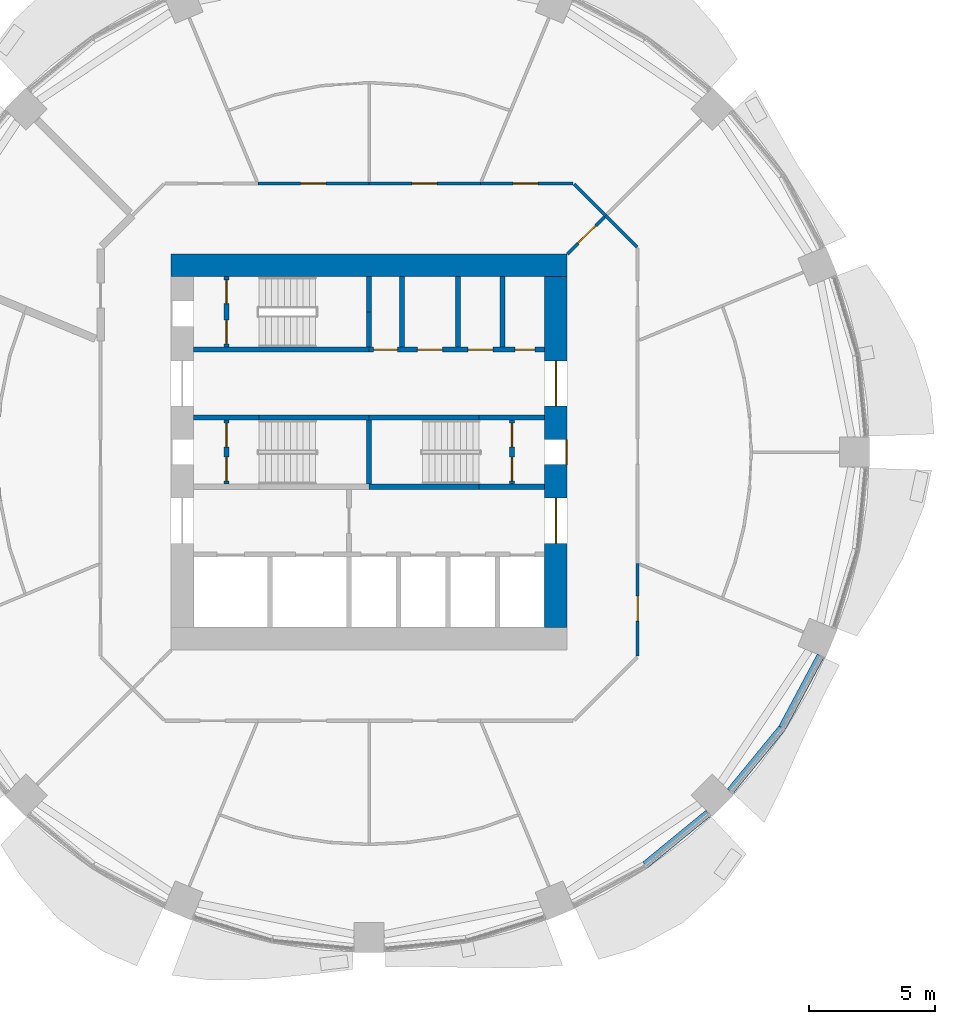
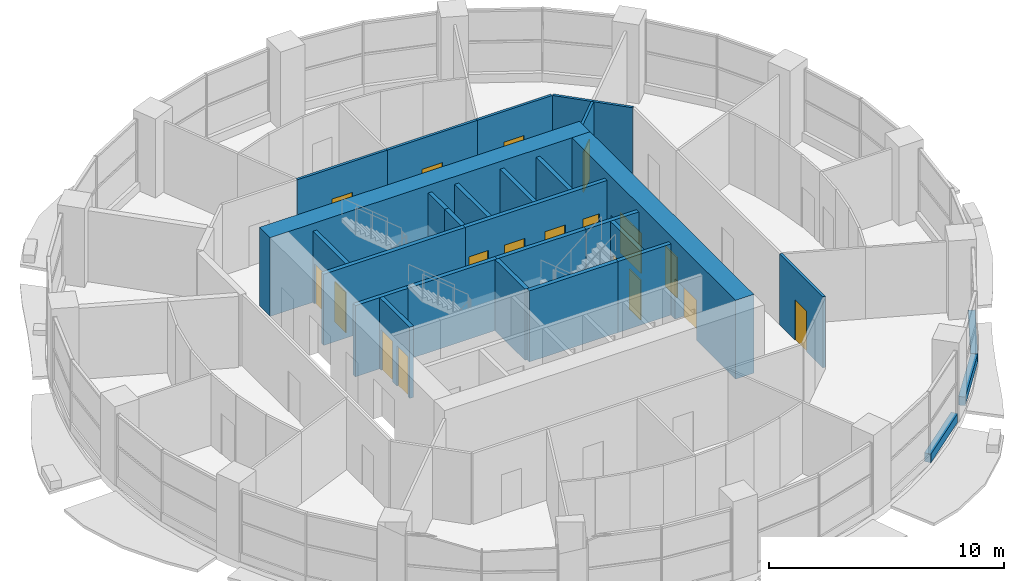
# One storey, part 9 of 14: 29 walls, 18 doors, 18 openings.
"""IFC4 building model written with IfcOpenShell, lengths in metres."""

from ifc_helpers import new_model, si_unit, direction, frame, frame_2d, origin, place, context, subcontext, project, spatial, rectangle, extrude, material, layer, layer_set, type_object, element, fill, save


model = new_model("IFC4")

# Units and contexts
model_context = context("Model", 3, precision=1e-05, world=origin(), true_north=direction((0.0, 1.0)))
body_context = subcontext(model_context, "Body", "Model", "MODEL_VIEW")
ifc_project = project(units=[si_unit("LENGTHUNIT", "METRE"), si_unit("AREAUNIT", "SQUARE_METRE"), si_unit("VOLUMEUNIT", "CUBIC_METRE"), si_unit("PLANEANGLEUNIT", "RADIAN"), si_unit("MASSUNIT", "GRAM", prefix="KILO")], contexts=[model_context])

# Site, building, storey
site_placement = place(None, origin())
site = spatial("IfcSite", under=ifc_project, at=site_placement, CompositionType="ELEMENT")
building_placement = place(site_placement, origin())
building = spatial("IfcBuilding", under=site, at=building_placement, Name="Polderwave Tower", CompositionType="ELEMENT")
storey_placement = place(building_placement, frame((0.0, 0.0, 14.39990234375)))
storey = spatial("IfcBuildingStorey", under=building, at=storey_placement, Name="L03", CompositionType="ELEMENT", Elevation=14.39990234375)

# Wall
ifc_material_1 = material(Name="Concrete C80/95", Category="concrete")
ifc_layer_1 = layer(ifc_material_1, 0.89990234375)
ifc_layer_set_1 = layer_set([ifc_layer_1], Name="CORE WALL 900 C80/95")
wall_type_1 = type_object("IfcWallType", Name="CORE WALL 900 C80/95", PredefinedType="SHEAR", material=ifc_layer_set_1)
wall_1_placement = place(storey_placement, frame((-7.8740234375, 7.424072265625, 0.0), z_axis=(0.0, 0.0, 1.0), x_axis=(1.0, 0.0, 0.0)))
element("IfcWall", 1, at=wall_1_placement, inside=storey, type_object=wall_type_1, Name="ST-CORE-L03-N", PredefinedType="SHEAR", context=body_context, shape_type="SweptSolid", body=[
    extrude(rectangle(XDim=15.748046875, YDim=0.89990234375, at=frame_2d((7.8740234375, 0.0))), origin(), (0.0, 0.0, 1.0), 4.10009765625),
])

# Wall, openings, doors
wall_2_placement = place(storey_placement, frame((7.424072265625, -6.97412109375, 0.0), z_axis=(0.0, 0.0, 1.0), x_axis=(0.0, 1.0, 0.0)))
wall_2 = element("IfcWall", 2, at=wall_2_placement, inside=storey, type_object=wall_type_1, Name="ST-CORE-L03-E", PredefinedType="SHEAR", context=body_context, shape_type="SweptSolid", body=[
    extrude(rectangle(XDim=13.9482421875, YDim=0.89990234375, at=frame_2d((6.97412109375, 0.0))), origin(), (0.0, 0.0, 1.0), 4.10009765625),
])
opening_1_placement = place(wall_2_placement, frame((6.47412109375, 0.0, 0.0)))
opening_1 = element("IfcOpeningElement", 3, at=opening_1_placement, cuts=wall_2, Name="Opening L03-D22", PredefinedType="OPENING", context=body_context, shape_type="SweptSolid", body=[
    extrude(rectangle(XDim=1.0, YDim=2.10009765625, at=frame_2d((0.5, 1.050048828125))), frame((0.0, 0.4599609375, 0.0), z_axis=(0.0, -1.0, 0.0), x_axis=(1.0, 0.0, 0.0)), (0.0, 0.0, 1.0), 0.919921875),
])
opening_2_placement = place(wall_2_placement, frame((3.349609375, 0.0, 0.0)))
opening_2 = element("IfcOpeningElement", 4, at=opening_2_placement, cuts=wall_2, Name="Opening L03-D23", PredefinedType="OPENING", context=body_context, shape_type="SweptSolid", body=[
    extrude(rectangle(XDim=1.800048828125, YDim=2.10009765625, at=frame_2d((0.89990234375, 1.050048828125))), frame((0.0, 0.4599609375, 0.0), z_axis=(0.0, -1.0, 0.0), x_axis=(1.0, 0.0, 0.0)), (0.0, 0.0, 1.0), 0.919921875),
])
opening_3_placement = place(wall_2_placement, frame((8.798583984375, 0.0, 0.0)))
opening_3 = element("IfcOpeningElement", 5, at=opening_3_placement, cuts=wall_2, Name="Opening L03-D24", PredefinedType="OPENING", context=body_context, shape_type="SweptSolid", body=[
    extrude(rectangle(XDim=1.800048828125, YDim=2.10009765625, at=frame_2d((0.89990234375, 1.050048828125))), frame((0.0, 0.4599609375, 0.0), z_axis=(0.0, -1.0, 0.0), x_axis=(1.0, 0.0, 0.0)), (0.0, 0.0, 1.0), 0.919921875),
])
ifc_material_2 = material(Name="Steel fire door", Category="steel")
door_type_1 = type_object("IfcDoorType", Name="Lobby entry door pair 1800", OperationType="DOUBLE_DOOR_SINGLE_SWING", PredefinedType="DOOR", material=ifc_material_2)
door_1_placement = place(opening_2_placement, frame((1.800048828125, 0.0, 0.0), z_axis=(0.0, 0.0, 1.0), x_axis=(-1.0, 0.0, 0.0)))
door_1 = element("IfcDoor", 6, at=door_1_placement, inside=storey, type_object=door_type_1, Name="South lobby entry door", OperationType="DOUBLE_DOOR_SINGLE_SWING", OverallHeight=2.10009765625, OverallWidth=1.800048828125, PredefinedType="DOOR", context=body_context, shape_type="SweptSolid", body=[
    extrude(rectangle(XDim=1.800048828125, YDim=2.10009765625, at=frame_2d((0.89990234375, 1.050048828125))), frame((0.0, 0.02490234375, 0.0), z_axis=(0.0, -1.0, 0.0), x_axis=(1.0, 0.0, 0.0)), (0.0, 0.0, 1.0), 0.050048828125),
])
fill(opening_2, door_1)
door_2_placement = place(opening_3_placement, frame((1.800048828125, 0.0, 0.0), z_axis=(0.0, 0.0, 1.0), x_axis=(-1.0, 0.0, 0.0)))
door_2 = element("IfcDoor", 7, at=door_2_placement, inside=storey, type_object=door_type_1, Name="North lobby entry door", OperationType="DOUBLE_DOOR_SINGLE_SWING", OverallHeight=2.10009765625, OverallWidth=1.800048828125, PredefinedType="DOOR", context=body_context, shape_type="SweptSolid", body=[
    extrude(rectangle(XDim=1.800048828125, YDim=2.10009765625, at=frame_2d((0.89990234375, 1.050048828125))), frame((0.0, 0.02490234375, 0.0), z_axis=(0.0, -1.0, 0.0), x_axis=(1.0, 0.0, 0.0)), (0.0, 0.0, 1.0), 0.050048828125),
])
fill(opening_3, door_2)
door_type_2 = type_object("IfcDoorType", Name="Stair door 1000", OperationType="NOTDEFINED", PredefinedType="DOOR", material=ifc_material_2)
door_3_placement = place(opening_1_placement, frame((1.0, 0.0, 0.0), z_axis=(0.0, 0.0, 1.0), x_axis=(-1.0, 0.0, 0.0)))
door_3 = element("IfcDoor", 8, at=door_3_placement, inside=storey, type_object=door_type_2, Name="Stair B entry door", OperationType="SINGLE_SWING_LEFT", OverallHeight=2.10009765625, OverallWidth=1.0, PredefinedType="DOOR", context=body_context, shape_type="SweptSolid", body=[
    extrude(rectangle(XDim=1.0, YDim=2.10009765625, at=frame_2d((0.5, 1.050048828125))), frame((0.0, 0.4501953125, 0.0), z_axis=(0.0, -1.0, 0.0), x_axis=(1.0, 0.0, 0.0)), (0.0, 0.0, 1.0), 0.050048828125),
])
fill(opening_1, door_3)

# Walls
ifc_material_3 = material(Name="Concrete C50/60 (board-marked)", Category="concrete")
ifc_layer_2 = layer(ifc_material_3, 0.300048828125)
ifc_layer_set_2 = layer_set([ifc_layer_2], Name="Concrete spandrel upstand C50/60")
wall_type_2 = type_object("IfcWallType", Name="Concrete spandrel upstand C50/60", PredefinedType="SOLIDWALL", material=ifc_layer_set_2)
for number, where, z_axis, x_axis, name in (
    (9, (10.978515625, -16.403564453125, 0.0), (0.0, 0.0, 1.0), (0.773153933451, 0.634218412843, 0.0), "Spandrel L03 14b"),
    (10, (14.349609375, -13.482421875, 0.0), (0.0, 0.0, 1.0), (0.634218412843, 0.773153933451, 0.0), "Spandrel L03 15a"),
    (11, (16.420166015625, -10.953857421875, 0.0), (0.0, 0.0, 1.0), (0.471085080078, 0.882087777564, 0.0), "Spandrel L03 15b"),
):
    element("IfcWall", number, at=place(storey_placement, frame(where, z_axis=z_axis, x_axis=x_axis)), inside=storey, type_object=wall_type_2, Name=name, PredefinedType="SOLIDWALL", context=body_context, shape_type="SweptSolid", body=[
        extrude(rectangle(XDim=3.238525390625, YDim=0.300048828125, at=frame_2d((1.619140625, 0.0))), origin(), (0.0, 0.0, 1.0), 0.4501953125),
    ])
ifc_material_4 = material(Name="Gypsum board partition")
ifc_layer_3 = layer(ifc_material_4, 0.199951171875)
ifc_layer_set_3 = layer_set([ifc_layer_3], Name="Core room partition 200")
wall_type_3 = type_object("IfcWallType", Name="Core room partition 200", PredefinedType="PARTITIONING", material=ifc_layer_set_3)
for number, where, z_axis, x_axis, name in (
    (12, (1.30712890625, 4.174072265625, 0.0), (0.0, 0.0, 1.0), (0.0, 1.0, 0.0), "L03 room partition N1"),
    (13, (3.537109375, 4.174072265625, 0.0), (0.0, 0.0, 1.0), (0.0, 1.0, 0.0), "L03 room partition N2"),
):
    element("IfcWall", number, at=place(storey_placement, frame(where, z_axis=z_axis, x_axis=x_axis)), inside=storey, type_object=wall_type_3, Name=name, PredefinedType="PARTITIONING", context=body_context, shape_type="SweptSolid", body=[
        extrude(rectangle(XDim=2.800048828125, YDim=0.199951171875, at=frame_2d((1.39990234375, 0.0))), origin(), (0.0, 0.0, 1.0), 3.7001953125),
    ])

# Wall, openings, doors
wall_3_placement = place(storey_placement, frame((-5.674072265625, -1.27490234375, 0.0), z_axis=(0.0, 0.0, 1.0), x_axis=(0.0, 1.0, 0.0)))
wall_3 = element("IfcWall", 14, at=wall_3_placement, inside=storey, type_object=wall_type_3, Name="L03 smoke lobby wall A", PredefinedType="PARTITIONING", context=body_context, shape_type="SweptSolid", body=[
    extrude(rectangle(XDim=2.5498046875, YDim=0.199951171875, at=frame_2d((1.27490234375, 0.0))), origin(), (0.0, 0.0, 1.0), 3.7001953125),
])
opening_4_placement = place(wall_3_placement, frame((0.125, 0.0, 0.0)))
opening_4 = element("IfcOpeningElement", 15, at=opening_4_placement, cuts=wall_3, Name="Opening L03-D07", PredefinedType="OPENING", context=body_context, shape_type="SweptSolid", body=[
    extrude(rectangle(XDim=0.949951171875, YDim=2.10009765625, at=frame_2d((0.47509765625, 1.050048828125))), frame((0.0, 0.10986328125, 0.0), z_axis=(0.0, -1.0, 0.0), x_axis=(1.0, 0.0, 0.0)), (0.0, 0.0, 1.0), 0.219970703125),
])
opening_5_placement = place(wall_3_placement, frame((1.47509765625, 0.0, 0.0)))
opening_5 = element("IfcOpeningElement", 16, at=opening_5_placement, cuts=wall_3, Name="Opening L03-D08", PredefinedType="OPENING", context=body_context, shape_type="SweptSolid", body=[
    extrude(rectangle(XDim=0.949951171875, YDim=2.10009765625, at=frame_2d((0.47509765625, 1.050048828125))), frame((0.0, 0.10986328125, 0.0), z_axis=(0.0, -1.0, 0.0), x_axis=(1.0, 0.0, 0.0)), (0.0, 0.0, 1.0), 0.219970703125),
])
door_type_3 = type_object("IfcDoorType", Name="Smoke lobby door 950", OperationType="NOTDEFINED", PredefinedType="DOOR", material=ifc_material_2)
door_4_placement = place(opening_4_placement, origin())
door_4 = element("IfcDoor", 17, at=door_4_placement, inside=storey, type_object=door_type_3, Name="Stair A smoke lobby inner door", OperationType="SINGLE_SWING_LEFT", OverallHeight=2.10009765625, OverallWidth=0.949951171875, PredefinedType="DOOR", context=body_context, shape_type="SweptSolid", body=[
    extrude(rectangle(XDim=0.949951171875, YDim=2.10009765625, at=frame_2d((0.47509765625, 1.050048828125))), frame((0.0, 0.02490234375, 0.0), z_axis=(0.0, -1.0, 0.0), x_axis=(1.0, 0.0, 0.0)), (0.0, 0.0, 1.0), 0.050048828125),
])
fill(opening_4, door_4)
door_5_placement = place(opening_5_placement, origin())
door_5 = element("IfcDoor", 18, at=door_5_placement, inside=storey, type_object=door_type_3, Name="Stair A smoke lobby inner door", OperationType="SINGLE_SWING_RIGHT", OverallHeight=2.10009765625, OverallWidth=0.949951171875, PredefinedType="DOOR", context=body_context, shape_type="SweptSolid", body=[
    extrude(rectangle(XDim=0.949951171875, YDim=2.10009765625, at=frame_2d((0.47509765625, 1.050048828125))), frame((0.0, 0.02490234375, 0.0), z_axis=(0.0, -1.0, 0.0), x_axis=(1.0, 0.0, 0.0)), (0.0, 0.0, 1.0), 0.050048828125),
])
fill(opening_5, door_5)

wall_4_placement = place(storey_placement, frame((5.674072265625, -1.27490234375, 0.0), z_axis=(0.0, 0.0, 1.0), x_axis=(0.0, 1.0, 0.0)))
wall_4 = element("IfcWall", 19, at=wall_4_placement, inside=storey, type_object=wall_type_3, Name="L03 smoke lobby wall B", PredefinedType="PARTITIONING", context=body_context, shape_type="SweptSolid", body=[
    extrude(rectangle(XDim=2.5498046875, YDim=0.199951171875, at=frame_2d((1.27490234375, 0.0))), origin(), (0.0, 0.0, 1.0), 3.7001953125),
])
opening_6_placement = place(wall_4_placement, frame((0.125, 0.0, 0.0)))
opening_6 = element("IfcOpeningElement", 20, at=opening_6_placement, cuts=wall_4, Name="Opening L03-D09", PredefinedType="OPENING", context=body_context, shape_type="SweptSolid", body=[
    extrude(rectangle(XDim=0.949951171875, YDim=2.10009765625, at=frame_2d((0.47509765625, 1.050048828125))), frame((0.0, 0.10986328125, 0.0), z_axis=(0.0, -1.0, 0.0), x_axis=(1.0, 0.0, 0.0)), (0.0, 0.0, 1.0), 0.219970703125),
])
opening_7_placement = place(wall_4_placement, frame((1.47509765625, 0.0, 0.0)))
opening_7 = element("IfcOpeningElement", 21, at=opening_7_placement, cuts=wall_4, Name="Opening L03-D10", PredefinedType="OPENING", context=body_context, shape_type="SweptSolid", body=[
    extrude(rectangle(XDim=0.949951171875, YDim=2.10009765625, at=frame_2d((0.47509765625, 1.050048828125))), frame((0.0, 0.10986328125, 0.0), z_axis=(0.0, -1.0, 0.0), x_axis=(1.0, 0.0, 0.0)), (0.0, 0.0, 1.0), 0.219970703125),
])
door_6_placement = place(opening_6_placement, frame((0.949951171875, 0.0, 0.0), z_axis=(0.0, 0.0, 1.0), x_axis=(-1.0, 0.0, 0.0)))
door_6 = element("IfcDoor", 22, at=door_6_placement, inside=storey, type_object=door_type_3, Name="Stair B smoke lobby inner door", OperationType="SINGLE_SWING_RIGHT", OverallHeight=2.10009765625, OverallWidth=0.949951171875, PredefinedType="DOOR", context=body_context, shape_type="SweptSolid", body=[
    extrude(rectangle(XDim=0.949951171875, YDim=2.10009765625, at=frame_2d((0.47509765625, 1.050048828125))), frame((0.0, 0.02490234375, 0.0), z_axis=(0.0, -1.0, 0.0), x_axis=(1.0, 0.0, 0.0)), (0.0, 0.0, 1.0), 0.050048828125),
])
fill(opening_6, door_6)
door_7_placement = place(opening_7_placement, frame((0.949951171875, 0.0, 0.0), z_axis=(0.0, 0.0, 1.0), x_axis=(-1.0, 0.0, 0.0)))
door_7 = element("IfcDoor", 23, at=door_7_placement, inside=storey, type_object=door_type_3, Name="Stair B smoke lobby inner door", OperationType="SINGLE_SWING_LEFT", OverallHeight=2.10009765625, OverallWidth=0.949951171875, PredefinedType="DOOR", context=body_context, shape_type="SweptSolid", body=[
    extrude(rectangle(XDim=0.949951171875, YDim=2.10009765625, at=frame_2d((0.47509765625, 1.050048828125))), frame((0.0, 0.02490234375, 0.0), z_axis=(0.0, -1.0, 0.0), x_axis=(1.0, 0.0, 0.0)), (0.0, 0.0, 1.0), 0.050048828125),
])
fill(opening_7, door_7)

wall_5_placement = place(storey_placement, frame((-5.674072265625, 4.174072265625, 0.0), z_axis=(0.0, 0.0, 1.0), x_axis=(0.0, 1.0, 0.0)))
wall_5 = element("IfcWall", 24, at=wall_5_placement, inside=storey, type_object=wall_type_3, Name="L03 smoke lobby wall C", PredefinedType="PARTITIONING", context=body_context, shape_type="SweptSolid", body=[
    extrude(rectangle(XDim=2.800048828125, YDim=0.199951171875, at=frame_2d((1.39990234375, 0.0))), origin(), (0.0, 0.0, 1.0), 3.7001953125),
])
opening_8_placement = place(wall_5_placement, frame((0.125, 0.0, 0.0)))
opening_8 = element("IfcOpeningElement", 25, at=opening_8_placement, cuts=wall_5, Name="Opening L03-D11", PredefinedType="OPENING", context=body_context, shape_type="SweptSolid", body=[
    extrude(rectangle(XDim=0.949951171875, YDim=2.10009765625, at=frame_2d((0.47509765625, 1.050048828125))), frame((0.0, 0.10986328125, 0.0), z_axis=(0.0, -1.0, 0.0), x_axis=(1.0, 0.0, 0.0)), (0.0, 0.0, 1.0), 0.219970703125),
])
opening_9_placement = place(wall_5_placement, frame((1.72509765625, 0.0, 0.0)))
opening_9 = element("IfcOpeningElement", 26, at=opening_9_placement, cuts=wall_5, Name="Opening L03-D12", PredefinedType="OPENING", context=body_context, shape_type="SweptSolid", body=[
    extrude(rectangle(XDim=0.949951171875, YDim=2.10009765625, at=frame_2d((0.47509765625, 1.050048828125))), frame((0.0, 0.10986328125, 0.0), z_axis=(0.0, -1.0, 0.0), x_axis=(1.0, 0.0, 0.0)), (0.0, 0.0, 1.0), 0.219970703125),
])
door_8_placement = place(opening_8_placement, origin())
door_8 = element("IfcDoor", 27, at=door_8_placement, inside=storey, type_object=door_type_3, Name="Stair C smoke lobby inner door", OperationType="SINGLE_SWING_LEFT", OverallHeight=2.10009765625, OverallWidth=0.949951171875, PredefinedType="DOOR", context=body_context, shape_type="SweptSolid", body=[
    extrude(rectangle(XDim=0.949951171875, YDim=2.10009765625, at=frame_2d((0.47509765625, 1.050048828125))), frame((0.0, 0.02490234375, 0.0), z_axis=(0.0, -1.0, 0.0), x_axis=(1.0, 0.0, 0.0)), (0.0, 0.0, 1.0), 0.050048828125),
])
fill(opening_8, door_8)
door_9_placement = place(opening_9_placement, origin())
door_9 = element("IfcDoor", 28, at=door_9_placement, inside=storey, type_object=door_type_3, Name="Stair C smoke lobby inner door", OperationType="SINGLE_SWING_RIGHT", OverallHeight=2.10009765625, OverallWidth=0.949951171875, PredefinedType="DOOR", context=body_context, shape_type="SweptSolid", body=[
    extrude(rectangle(XDim=0.949951171875, YDim=2.10009765625, at=frame_2d((0.47509765625, 1.050048828125))), frame((0.0, 0.02490234375, 0.0), z_axis=(0.0, -1.0, 0.0), x_axis=(1.0, 0.0, 0.0)), (0.0, 0.0, 1.0), 0.050048828125),
])
fill(opening_9, door_9)

# Wall
ifc_material_5 = material(Name="Concrete C50/60", Category="concrete")
ifc_layer_4 = layer(ifc_material_5, 0.199951171875)
ifc_layer_set_4 = layer_set([ifc_layer_4], Name="Core web wall 200")
wall_type_4 = type_object("IfcWallType", Name="Core web wall 200", PredefinedType="SHEAR", material=ifc_layer_set_4)
wall_6_placement = place(storey_placement, frame((-6.97412109375, 4.073974609375, 0.0), z_axis=(0.0, 0.0, 1.0), x_axis=(1.0, 0.0, 0.0)))
element("IfcWall", 29, at=wall_6_placement, inside=storey, type_object=wall_type_4, Name="L03 north front wall 1", PredefinedType="SHEAR", context=body_context, shape_type="SweptSolid", body=[
    extrude(rectangle(XDim=6.97412109375, YDim=0.199951171875, at=frame_2d((3.487060546875, 0.0))), origin(), (0.0, 0.0, 1.0), 3.7001953125),
])

# Wall, openings, doors
wall_7_placement = place(storey_placement, frame((0.0, 4.073974609375, 0.0), z_axis=(0.0, 0.0, 1.0), x_axis=(1.0, 0.0, 0.0)))
wall_7 = element("IfcWall", 30, at=wall_7_placement, inside=storey, type_object=wall_type_4, Name="L03 north front wall 2", PredefinedType="SHEAR", context=body_context, shape_type="SweptSolid", body=[
    extrude(rectangle(XDim=6.97412109375, YDim=0.199951171875, at=frame_2d((3.487060546875, 0.0))), origin(), (0.0, 0.0, 1.0), 3.7001953125),
])
opening_10_placement = place(wall_7_placement, frame((0.1787109375, 0.0, 0.0)))
opening_10 = element("IfcOpeningElement", 31, at=opening_10_placement, cuts=wall_7, Name="Opening L03-D14", PredefinedType="OPENING", context=body_context, shape_type="SweptSolid", body=[
    extrude(rectangle(XDim=0.949951171875, YDim=2.10009765625, at=frame_2d((0.47509765625, 1.050048828125))), frame((0.0, 0.10986328125, 0.0), z_axis=(0.0, -1.0, 0.0), x_axis=(1.0, 0.0, 0.0)), (0.0, 0.0, 1.0), 0.219970703125),
])
opening_11_placement = place(wall_7_placement, frame((1.922119140625, 0.0, 0.0)))
opening_11 = element("IfcOpeningElement", 32, at=opening_11_placement, cuts=wall_7, Name="Opening L03-D15", PredefinedType="OPENING", context=body_context, shape_type="SweptSolid", body=[
    extrude(rectangle(XDim=1.0, YDim=2.10009765625, at=frame_2d((0.5, 1.050048828125))), frame((0.0, 0.10986328125, 0.0), z_axis=(0.0, -1.0, 0.0), x_axis=(1.0, 0.0, 0.0)), (0.0, 0.0, 1.0), 0.219970703125),
])
opening_12_placement = place(wall_7_placement, frame((3.921142578125, 0.0, 0.0)))
opening_12 = element("IfcOpeningElement", 33, at=opening_12_placement, cuts=wall_7, Name="Opening L03-D16", PredefinedType="OPENING", context=body_context, shape_type="SweptSolid", body=[
    extrude(rectangle(XDim=1.0, YDim=2.10009765625, at=frame_2d((0.5, 1.050048828125))), frame((0.0, 0.10986328125, 0.0), z_axis=(0.0, -1.0, 0.0), x_axis=(1.0, 0.0, 0.0)), (0.0, 0.0, 1.0), 0.219970703125),
])
opening_13_placement = place(wall_7_placement, frame((5.789794921875, 0.0, 0.0)))
opening_13 = element("IfcOpeningElement", 34, at=opening_13_placement, cuts=wall_7, Name="Opening L03-D17", PredefinedType="OPENING", context=body_context, shape_type="SweptSolid", body=[
    extrude(rectangle(XDim=0.800048828125, YDim=2.10009765625, at=frame_2d((0.39990234375, 1.050048828125))), frame((0.0, 0.10986328125, 0.0), z_axis=(0.0, -1.0, 0.0), x_axis=(1.0, 0.0, 0.0)), (0.0, 0.0, 1.0), 0.219970703125),
])
door_type_4 = type_object("IfcDoorType", Name="Riser door 800", OperationType="NOTDEFINED", PredefinedType="DOOR", material=ifc_material_2)
door_10_placement = place(opening_13_placement, frame((0.800048828125, 0.0, 0.0), z_axis=(0.0, 0.0, 1.0), x_axis=(-1.0, 0.0, 0.0)))
door_10 = element("IfcDoor", 35, at=door_10_placement, inside=storey, type_object=door_type_4, Name="Riser door", OperationType="SINGLE_SWING_LEFT", OverallHeight=2.10009765625, OverallWidth=0.800048828125, PredefinedType="DOOR", context=body_context, shape_type="SweptSolid", body=[
    extrude(rectangle(XDim=0.800048828125, YDim=2.10009765625, at=frame_2d((0.39990234375, 1.050048828125))), frame((0.0, 0.02490234375, 0.0), z_axis=(0.0, -1.0, 0.0), x_axis=(1.0, 0.0, 0.0)), (0.0, 0.0, 1.0), 0.050048828125),
])
fill(opening_13, door_10)
ifc_material_6 = material(Name="Timber door leaf", Category="wood")
door_type_5 = type_object("IfcDoorType", Name="Room door 1000", OperationType="NOTDEFINED", PredefinedType="DOOR", material=ifc_material_6)
door_11_placement = place(opening_11_placement, origin())
door_11 = element("IfcDoor", 36, at=door_11_placement, inside=storey, type_object=door_type_5, Name="Store door", OperationType="SINGLE_SWING_LEFT", OverallHeight=2.10009765625, OverallWidth=1.0, PredefinedType="DOOR", context=body_context, shape_type="SweptSolid", body=[
    extrude(rectangle(XDim=1.0, YDim=2.10009765625, at=frame_2d((0.5, 1.050048828125))), frame((0.0, 0.02490234375, 0.0), z_axis=(0.0, -1.0, 0.0), x_axis=(1.0, 0.0, 0.0)), (0.0, 0.0, 1.0), 0.050048828125),
])
fill(opening_11, door_11)
door_12_placement = place(opening_12_placement, origin())
door_12 = element("IfcDoor", 37, at=door_12_placement, inside=storey, type_object=door_type_5, Name="Staff WC door", OperationType="SINGLE_SWING_RIGHT", OverallHeight=2.10009765625, OverallWidth=1.0, PredefinedType="DOOR", context=body_context, shape_type="SweptSolid", body=[
    extrude(rectangle(XDim=1.0, YDim=2.10009765625, at=frame_2d((0.5, 1.050048828125))), frame((0.0, 0.02490234375, 0.0), z_axis=(0.0, -1.0, 0.0), x_axis=(1.0, 0.0, 0.0)), (0.0, 0.0, 1.0), 0.050048828125),
])
fill(opening_12, door_12)
door_type_6 = type_object("IfcDoorType", Name="Room door 950", OperationType="NOTDEFINED", PredefinedType="DOOR", material=ifc_material_6)
door_13_placement = place(opening_10_placement, origin())
door_13 = element("IfcDoor", 38, at=door_13_placement, inside=storey, type_object=door_type_6, Name="Housekeeping store door", OperationType="SINGLE_SWING_LEFT", OverallHeight=2.10009765625, OverallWidth=0.949951171875, PredefinedType="DOOR", context=body_context, shape_type="SweptSolid", body=[
    extrude(rectangle(XDim=0.949951171875, YDim=2.10009765625, at=frame_2d((0.47509765625, 1.050048828125))), frame((0.0, 0.02490234375, 0.0), z_axis=(0.0, -1.0, 0.0), x_axis=(1.0, 0.0, 0.0)), (0.0, 0.0, 1.0), 0.050048828125),
])
fill(opening_10, door_13)

# Walls
wall_8_placement = place(storey_placement, frame((0.0, -1.375, 0.0), z_axis=(0.0, 0.0, 1.0), x_axis=(1.0, 0.0, 0.0)))
element("IfcWall", 39, at=wall_8_placement, inside=storey, type_object=wall_type_4, Name="L03 south stair wall 3", PredefinedType="SHEAR", context=body_context, shape_type="SweptSolid", body=[
    extrude(rectangle(XDim=4.3740234375, YDim=0.199951171875, at=frame_2d((2.18701171875, 0.0))), origin(), (0.0, 0.0, 1.0), 3.7001953125),
])
for number, where, z_axis, x_axis, name in (
    (40, (4.3740234375, -1.375, 0.0), (0.0, 0.0, 1.0), (1.0, 0.0, 0.0), "L03 south stair wall 4"),
    (41, (-6.97412109375, 1.375, 0.0), (0.0, 0.0, 1.0), (1.0, 0.0, 0.0), "L03 north stair wall 1"),
):
    element("IfcWall", number, at=place(storey_placement, frame(where, z_axis=z_axis, x_axis=x_axis)), inside=storey, type_object=wall_type_4, Name=name, PredefinedType="SHEAR", context=body_context, shape_type="SweptSolid", body=[
        extrude(rectangle(XDim=2.60009765625, YDim=0.199951171875, at=frame_2d((1.300048828125, 0.0))), origin(), (0.0, 0.0, 1.0), 3.7001953125),
    ])
for number, where, z_axis, x_axis, name in (
    (42, (-4.3740234375, 1.375, 0.0), (0.0, 0.0, 1.0), (1.0, 0.0, 0.0), "L03 north stair wall 2"),
    (43, (0.0, 1.375, 0.0), (0.0, 0.0, 1.0), (1.0, 0.0, 0.0), "L03 north stair wall 3"),
):
    element("IfcWall", number, at=place(storey_placement, frame(where, z_axis=z_axis, x_axis=x_axis)), inside=storey, type_object=wall_type_4, Name=name, PredefinedType="SHEAR", context=body_context, shape_type="SweptSolid", body=[
        extrude(rectangle(XDim=4.3740234375, YDim=0.199951171875, at=frame_2d((2.18701171875, 0.0))), origin(), (0.0, 0.0, 1.0), 3.7001953125),
    ])
wall_9_placement = place(storey_placement, frame((4.3740234375, 1.375, 0.0), z_axis=(0.0, 0.0, 1.0), x_axis=(1.0, 0.0, 0.0)))
element("IfcWall", 44, at=wall_9_placement, inside=storey, type_object=wall_type_4, Name="L03 north stair wall 4", PredefinedType="SHEAR", context=body_context, shape_type="SweptSolid", body=[
    extrude(rectangle(XDim=2.60009765625, YDim=0.199951171875, at=frame_2d((1.300048828125, 0.0))), origin(), (0.0, 0.0, 1.0), 3.7001953125),
])
wall_10_placement = place(storey_placement, frame((0.0, -1.27490234375, 0.0), z_axis=(0.0, 0.0, 1.0), x_axis=(0.0, 1.0, 0.0)))
element("IfcWall", 45, at=wall_10_placement, inside=storey, type_object=wall_type_4, Name="L03 wall between the stairs", PredefinedType="SHEAR", context=body_context, shape_type="SweptSolid", body=[
    extrude(rectangle(XDim=2.5498046875, YDim=0.199951171875, at=frame_2d((1.27490234375, 0.0))), origin(), (0.0, 0.0, 1.0), 3.7001953125),
])
wall_11_placement = place(storey_placement, frame((0.0, 4.174072265625, 0.0), z_axis=(0.0, 0.0, 1.0), x_axis=(0.0, 1.0, 0.0)))
element("IfcWall", 46, at=wall_11_placement, inside=storey, type_object=wall_type_4, Name="L03 stair C wall south", PredefinedType="SHEAR", context=body_context, shape_type="SweptSolid", body=[
    extrude(rectangle(XDim=1.39990234375, YDim=0.199951171875, at=frame_2d((0.699951171875, 0.0))), origin(), (0.0, 0.0, 1.0), 3.7001953125),
])
wall_12_placement = place(storey_placement, frame((0.0, 5.573974609375, 0.0), z_axis=(0.0, 0.0, 1.0), x_axis=(0.0, 1.0, 0.0)))
element("IfcWall", 47, at=wall_12_placement, inside=storey, type_object=wall_type_4, Name="L03 stair C wall north", PredefinedType="SHEAR", context=body_context, shape_type="SweptSolid", body=[
    extrude(rectangle(XDim=1.400146484375, YDim=0.199951171875, at=frame_2d((0.7001953125, 0.0))), origin(), (0.0, 0.0, 1.0), 3.7001953125),
])

# Wall, opening, door
ifc_material_7 = material(Name="Fire-resisting board on steel studs", Category="steel")
ifc_layer_5 = layer(ifc_material_7, 0.125)
ifc_layer_set_5 = layer_set([ifc_layer_5], Name="Corridor wall 125 mm EI 60")
wall_type_5 = type_object("IfcWallType", Name="Corridor wall 125 mm EI 60", PredefinedType="PARTITIONING", material=ifc_layer_set_5)
wall_13_placement = place(storey_placement, frame((7.8740234375, 7.8740234375, 0.0), z_axis=(0.0, 0.0, 1.0), x_axis=(0.707106781187, 0.707106781187, 0.0)))
wall_13 = element("IfcWall", 48, at=wall_13_placement, inside=storey, type_object=wall_type_5, Name="IN-L03-W001", PredefinedType="PARTITIONING", context=body_context, shape_type="SweptSolid", body=[
    extrude(rectangle(XDim=2.10205078125, YDim=0.125, at=frame_2d((1.051025390625, 0.0))), origin(), (0.0, 0.0, 1.0), 3.7001953125),
])
opening_14_placement = place(wall_13_placement, frame((0.60009765625, 0.0, 0.0)))
opening_14 = element("IfcOpeningElement", 49, at=opening_14_placement, cuts=wall_13, Name="Opening L03-D50", PredefinedType="OPENING", context=body_context, shape_type="SweptSolid", body=[
    extrude(rectangle(XDim=1.0, YDim=2.10009765625, at=frame_2d((0.5, 1.050048828125))), frame((0.0, 0.072509765625, 0.0), z_axis=(0.0, -1.0, 0.0), x_axis=(1.0, 0.0, 0.0)), (0.0, 0.0, 1.0), 0.14501953125),
])
ifc_material_8 = material(Name="Timber fire door leaf", Category="wood")
door_type_7 = type_object("IfcDoorType", Name="Fire door FD30S 1000 x 2100", OperationType="NOTDEFINED", PredefinedType="DOOR", material=ifc_material_8)
door_14_placement = place(opening_14_placement, origin())
door_14 = element("IfcDoor", 50, at=door_14_placement, inside=storey, type_object=door_type_7, Name="Door L03-D50", OperationType="SINGLE_SWING_RIGHT", OverallHeight=2.10009765625, OverallWidth=1.0, PredefinedType="DOOR", context=body_context, shape_type="SweptSolid", body=[
    extrude(rectangle(XDim=1.0, YDim=2.10009765625, at=frame_2d((0.5, 1.050048828125))), frame((0.0, 0.02490234375, 0.0), z_axis=(0.0, -1.0, 0.0), x_axis=(1.0, 0.0, 0.0)), (0.0, 0.0, 1.0), 0.050048828125),
])
fill(opening_14, door_14)

# Wall
wall_14_placement = place(storey_placement, frame((9.404541015625, 9.404541015625, 0.0), z_axis=(0.0, 0.0, 1.0), x_axis=(0.707106781187, -0.707106781187, 0.0)))
element("IfcWall", 51, at=wall_14_placement, inside=storey, type_object=wall_type_5, Name="IN-L03-W003", PredefinedType="PARTITIONING", context=body_context, shape_type="SweptSolid", body=[
    extrude(rectangle(XDim=1.76953125, YDim=0.125, at=frame_2d((0.884765625, 0.0))), origin(), (0.0, 0.0, 1.0), 3.7001953125),
])

# Wall, opening, door
wall_15_placement = place(storey_placement, frame((10.674072265625, -4.42138671875, 0.0), z_axis=(0.0, 0.0, 1.0), x_axis=(0.0, -1.0, 0.0)))
wall_15 = element("IfcWall", 52, at=wall_15_placement, inside=storey, type_object=wall_type_5, Name="IN-L03-W006", PredefinedType="PARTITIONING", context=body_context, shape_type="SweptSolid", body=[
    extrude(rectangle(XDim=3.687744140625, YDim=0.125, at=frame_2d((1.84375, 0.0))), origin(), (0.0, 0.0, 1.0), 3.7001953125),
])
opening_15_placement = place(wall_15_placement, frame((1.300048828125, 0.0, 0.0)))
opening_15 = element("IfcOpeningElement", 53, at=opening_15_placement, cuts=wall_15, Name="Opening L03-D53", PredefinedType="OPENING", context=body_context, shape_type="SweptSolid", body=[
    extrude(rectangle(XDim=1.0, YDim=2.10009765625, at=frame_2d((0.5, 1.050048828125))), frame((0.0, 0.072509765625, 0.0), z_axis=(0.0, -1.0, 0.0), x_axis=(1.0, 0.0, 0.0)), (0.0, 0.0, 1.0), 0.14501953125),
])
door_15_placement = place(opening_15_placement, origin())
door_15 = element("IfcDoor", 54, at=door_15_placement, inside=storey, type_object=door_type_7, Name="Door L03-D53", OperationType="SINGLE_SWING_LEFT", OverallHeight=2.10009765625, OverallWidth=1.0, PredefinedType="DOOR", context=body_context, shape_type="SweptSolid", body=[
    extrude(rectangle(XDim=1.0, YDim=2.10009765625, at=frame_2d((0.5, 1.050048828125))), frame((0.0, 0.02490234375, 0.0), z_axis=(0.0, -1.0, 0.0), x_axis=(1.0, 0.0, 0.0)), (0.0, 0.0, 1.0), 0.050048828125),
])
fill(opening_15, door_15)

wall_16_placement = place(storey_placement, frame((4.42138671875, 10.674072265625, 0.0), z_axis=(0.0, 0.0, 1.0), x_axis=(1.0, 0.0, 0.0)))
wall_16 = element("IfcWall", 55, at=wall_16_placement, inside=storey, type_object=wall_type_5, Name="IN-L03-W007", PredefinedType="PARTITIONING", context=body_context, shape_type="SweptSolid", body=[
    extrude(rectangle(XDim=3.687744140625, YDim=0.125, at=frame_2d((1.84375, 0.0))), origin(), (0.0, 0.0, 1.0), 3.7001953125),
])
opening_16_placement = place(wall_16_placement, frame((1.300048828125, 0.0, 0.0)))
opening_16 = element("IfcOpeningElement", 56, at=opening_16_placement, cuts=wall_16, Name="Opening L03-D54", PredefinedType="OPENING", context=body_context, shape_type="SweptSolid", body=[
    extrude(rectangle(XDim=1.0, YDim=2.10009765625, at=frame_2d((0.5, 1.050048828125))), frame((0.0, 0.072509765625, 0.0), z_axis=(0.0, -1.0, 0.0), x_axis=(1.0, 0.0, 0.0)), (0.0, 0.0, 1.0), 0.14501953125),
])
door_16_placement = place(opening_16_placement, origin())
door_16 = element("IfcDoor", 57, at=door_16_placement, inside=storey, type_object=door_type_7, Name="Door L03-D54", OperationType="SINGLE_SWING_LEFT", OverallHeight=2.10009765625, OverallWidth=1.0, PredefinedType="DOOR", context=body_context, shape_type="SweptSolid", body=[
    extrude(rectangle(XDim=1.0, YDim=2.10009765625, at=frame_2d((0.5, 1.050048828125))), frame((0.0, 0.02490234375, 0.0), z_axis=(0.0, -1.0, 0.0), x_axis=(1.0, 0.0, 0.0)), (0.0, 0.0, 1.0), 0.050048828125),
])
fill(opening_16, door_16)

# Wall
wall_17_placement = place(storey_placement, frame((8.1533203125, 10.65576171875, 0.0), z_axis=(0.0, 0.0, 1.0), x_axis=(0.707106781187, -0.707106781187, 0.0)))
element("IfcWall", 58, at=wall_17_placement, inside=storey, type_object=wall_type_5, Name="IN-L03-W008", PredefinedType="PARTITIONING", context=body_context, shape_type="SweptSolid", body=[
    extrude(rectangle(XDim=1.76953125, YDim=0.125, at=frame_2d((0.884765625, 0.0))), origin(), (0.0, 0.0, 1.0), 3.7001953125),
])

# Wall, opening, door
wall_18_placement = place(storey_placement, frame((0.0, 10.674072265625, 0.0), z_axis=(0.0, 0.0, 1.0), x_axis=(1.0, 0.0, 0.0)))
wall_18 = element("IfcWall", 59, at=wall_18_placement, inside=storey, type_object=wall_type_5, Name="IN-L03-W009", PredefinedType="PARTITIONING", context=body_context, shape_type="SweptSolid", body=[
    extrude(rectangle(XDim=4.42138671875, YDim=0.125, at=frame_2d((2.210693359375, 0.0))), origin(), (0.0, 0.0, 1.0), 3.7001953125),
])
opening_17_placement = place(wall_18_placement, frame((1.699951171875, 0.0, 0.0)))
opening_17 = element("IfcOpeningElement", 60, at=opening_17_placement, cuts=wall_18, Name="Opening L03-D55", PredefinedType="OPENING", context=body_context, shape_type="SweptSolid", body=[
    extrude(rectangle(XDim=1.0, YDim=2.10009765625, at=frame_2d((0.5, 1.050048828125))), frame((0.0, 0.072509765625, 0.0), z_axis=(0.0, -1.0, 0.0), x_axis=(1.0, 0.0, 0.0)), (0.0, 0.0, 1.0), 0.14501953125),
])
door_17_placement = place(opening_17_placement, origin())
door_17 = element("IfcDoor", 61, at=door_17_placement, inside=storey, type_object=door_type_7, Name="Door L03-D55", OperationType="SINGLE_SWING_LEFT", OverallHeight=2.10009765625, OverallWidth=1.0, PredefinedType="DOOR", context=body_context, shape_type="SweptSolid", body=[
    extrude(rectangle(XDim=1.0, YDim=2.10009765625, at=frame_2d((0.5, 1.050048828125))), frame((0.0, 0.02490234375, 0.0), z_axis=(0.0, -1.0, 0.0), x_axis=(1.0, 0.0, 0.0)), (0.0, 0.0, 1.0), 0.050048828125),
])
fill(opening_17, door_17)

wall_19_placement = place(storey_placement, frame((-4.42138671875, 10.674072265625, 0.0), z_axis=(0.0, 0.0, 1.0), x_axis=(1.0, 0.0, 0.0)))
wall_19 = element("IfcWall", 62, at=wall_19_placement, inside=storey, type_object=wall_type_5, Name="IN-L03-W010", PredefinedType="PARTITIONING", context=body_context, shape_type="SweptSolid", body=[
    extrude(rectangle(XDim=4.42138671875, YDim=0.125, at=frame_2d((2.210693359375, 0.0))), origin(), (0.0, 0.0, 1.0), 3.7001953125),
])
opening_18_placement = place(wall_19_placement, frame((1.699951171875, 0.0, 0.0)))
opening_18 = element("IfcOpeningElement", 63, at=opening_18_placement, cuts=wall_19, Name="Opening L03-D56", PredefinedType="OPENING", context=body_context, shape_type="SweptSolid", body=[
    extrude(rectangle(XDim=1.0, YDim=2.10009765625, at=frame_2d((0.5, 1.050048828125))), frame((0.0, 0.072509765625, 0.0), z_axis=(0.0, -1.0, 0.0), x_axis=(1.0, 0.0, 0.0)), (0.0, 0.0, 1.0), 0.14501953125),
])
door_18_placement = place(opening_18_placement, origin())
door_18 = element("IfcDoor", 64, at=door_18_placement, inside=storey, type_object=door_type_7, Name="Door L03-D56", OperationType="SINGLE_SWING_LEFT", OverallHeight=2.10009765625, OverallWidth=1.0, PredefinedType="DOOR", context=body_context, shape_type="SweptSolid", body=[
    extrude(rectangle(XDim=1.0, YDim=2.10009765625, at=frame_2d((0.5, 1.050048828125))), frame((0.0, 0.02490234375, 0.0), z_axis=(0.0, -1.0, 0.0), x_axis=(1.0, 0.0, 0.0)), (0.0, 0.0, 1.0), 0.050048828125),
])
fill(opening_18, door_18)

# Wall
ifc_material_9 = material(Name="Gypsum shaft wall system")
ifc_layer_6 = layer(ifc_material_9, 0.199951171875)
ifc_layer_set_6 = layer_set([ifc_layer_6], Name="Shaft wall 200")
wall_type_6 = type_object("IfcWallType", Name="Shaft wall 200", PredefinedType="PARTITIONING", material=ifc_layer_set_6)
wall_20_placement = place(storey_placement, frame((5.305419921875, 4.174072265625, 0.0), z_axis=(0.0, 0.0, 1.0), x_axis=(0.0, 1.0, 0.0)))
element("IfcWall", 65, at=wall_20_placement, inside=storey, type_object=wall_type_6, Name="L03 riser wall", PredefinedType="PARTITIONING", context=body_context, shape_type="SweptSolid", body=[
    extrude(rectangle(XDim=2.800048828125, YDim=0.199951171875, at=frame_2d((1.39990234375, 0.0))), origin(), (0.0, 0.0, 1.0), 3.7001953125),
])

save(model, "model.ifc")
